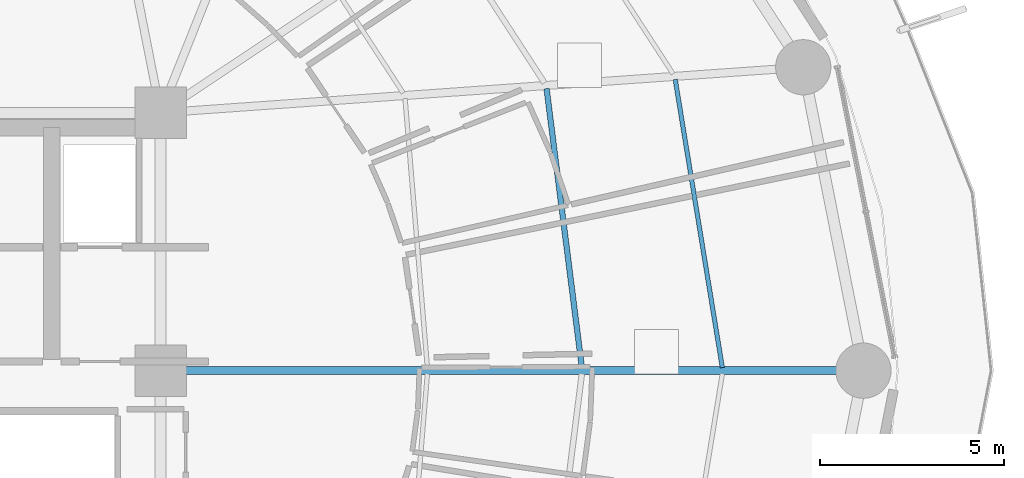
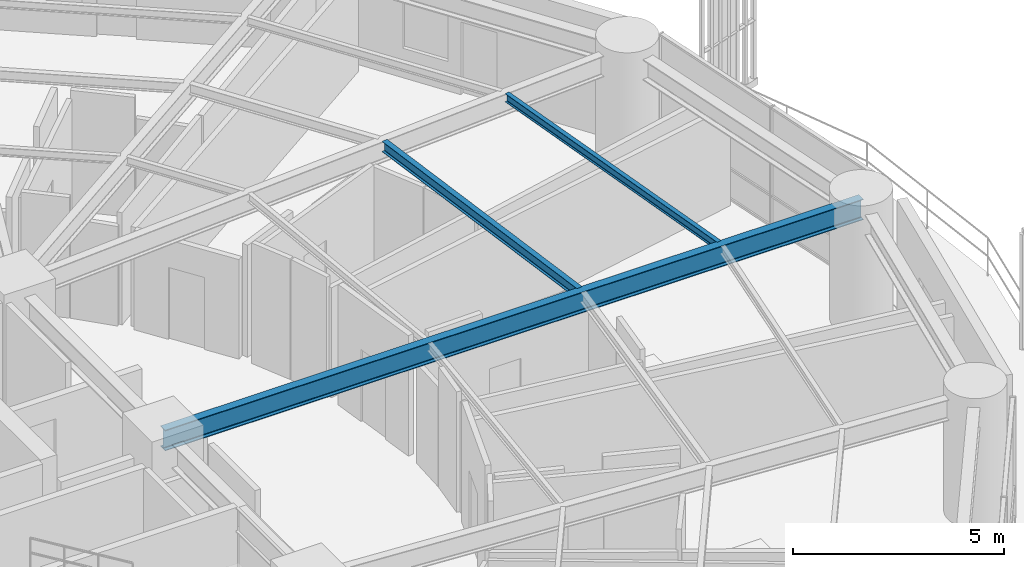
# One storey, part 13 of 33: 3 beams.
"""IFC4 building model written with IfcOpenShell, lengths in metres."""

from ifc_helpers import new_model, si_unit, direction, frame, origin, origin_2d, place, context, subcontext, project, spatial, i_section, extrude, material, material_profile, profile_set, type_object, element, save


model = new_model("IFC4")

# Units and contexts
model_context = context("Model", 3, precision=1e-05, world=origin(), true_north=direction((0.0, 1.0)))
body_context = subcontext(model_context, "Body", "Model", "MODEL_VIEW")
ifc_project = project(units=[si_unit("LENGTHUNIT", "METRE"), si_unit("AREAUNIT", "SQUARE_METRE"), si_unit("VOLUMEUNIT", "CUBIC_METRE"), si_unit("PLANEANGLEUNIT", "RADIAN"), si_unit("MASSUNIT", "GRAM", prefix="KILO")], contexts=[model_context])

# Site, building, storey
site_placement = place(None, origin())
site = spatial("IfcSite", under=ifc_project, at=site_placement, CompositionType="ELEMENT")
building_placement = place(site_placement, origin())
building = spatial("IfcBuilding", under=site, at=building_placement, Name="Kelanora Arch Commons", CompositionType="ELEMENT")
storey_placement = place(building_placement, frame((0.0, 0.0, 41.25)))
storey = spatial("IfcBuildingStorey", under=building, at=storey_placement, Name="L10", CompositionType="ELEMENT", Elevation=41.25)

# Beams
ifc_material = material(Name="Steel S355", Category="steel")
ifc_material_profile_1 = material_profile(ifc_material, i_section(OverallWidth=0.14990234375, OverallDepth=0.300048828125, WebThickness=0.007080078125, FlangeThickness=0.0107421875, FilletRadius=0.014892578125, at=origin_2d()), Name="IPE300")
ifc_profile_set_1 = profile_set([ifc_material_profile_1], Name="Steel S355")
beam_type_1 = type_object("IfcBeamType", Name="BM-JST-01", PredefinedType="JOIST", material=ifc_profile_set_1)
beam_1_placement = place(storey_placement, frame((93.437255859375, 58.084228515625, 3.340087890625), z_axis=(-0.125565841651, 0.992085288375, 0.0), x_axis=(-0.992085288375, -0.125565841651, 0.0)))
element("IfcBeam", 1, at=beam_1_placement, inside=storey, type_object=beam_type_1, Name="Secondary Chord Joist BJB-00 L10", PredefinedType="JOIST", context=body_context, shape_type="SweptSolid", body=[
    extrude(i_section(OverallWidth=0.14990234375, OverallDepth=0.300048828125, WebThickness=0.007080078125, FlangeThickness=0.0107421875, FilletRadius=0.014892578125, at=origin_2d()), origin(), (0.0, 0.0, 1.0), 7.63330078125),
])
ifc_material_profile_2 = material_profile(ifc_material, i_section(OverallWidth=0.1201171875, OverallDepth=0.239990234375, WebThickness=0.006103515625, FlangeThickness=0.009765625, FilletRadius=0.014892578125, at=origin_2d()), Name="IPE240")
ifc_profile_set_2 = profile_set([ifc_material_profile_2], Name="Steel S355")
beam_type_2 = type_object("IfcBeamType", Name="BM-JST-02", PredefinedType="JOIST", material=ifc_profile_set_2)
beam_2_placement = place(storey_placement, frame((97.250244140625, 58.083984375, 3.3701171875), z_axis=(-0.161400737199, 0.986888951216, 0.0), x_axis=(-0.986888951216, -0.161400737199, 0.0)))
element("IfcBeam", 2, at=beam_2_placement, inside=storey, type_object=beam_type_2, Name="Secondary Chord Joist BJC-00 L10", PredefinedType="JOIST", context=body_context, shape_type="SweptSolid", body=[
    extrude(i_section(OverallWidth=0.1201171875, OverallDepth=0.239990234375, WebThickness=0.006103515625, FlangeThickness=0.009765625, FilletRadius=0.014892578125, at=origin_2d()), origin(), (0.0, 0.0, 1.0), 7.9248046875),
])
ifc_material_profile_3 = material_profile(ifc_material, i_section(OverallWidth=0.219970703125, OverallDepth=0.60009765625, WebThickness=0.011962890625, FlangeThickness=0.01904296875, FilletRadius=0.02392578125, at=origin_2d()), Name="IPE600")
ifc_profile_set_3 = profile_set([ifc_material_profile_3], Name="Steel S355")
beam_type_3 = type_object("IfcBeamType", Name="BM-RAD-Z1", PredefinedType="BEAM", material=ifc_profile_set_3)
beam_3_placement = place(storey_placement, frame((82.0, 58.0, 3.18994140625), z_axis=(1.0, 0.0, 0.0), x_axis=(0.0, 1.0, 0.0)))
element("IfcBeam", 3, at=beam_3_placement, inside=storey, type_object=beam_type_3, Name="Radial Floor Girder BR-00 L10", PredefinedType="BEAM", context=body_context, shape_type="SweptSolid", body=[
    extrude(i_section(OverallWidth=0.219970703125, OverallDepth=0.60009765625, WebThickness=0.011962890625, FlangeThickness=0.01904296875, FilletRadius=0.02392578125, at=origin_2d()), origin(), (0.0, 0.0, 1.0), 19.080078125),
])

save(model, "model.ifc")
